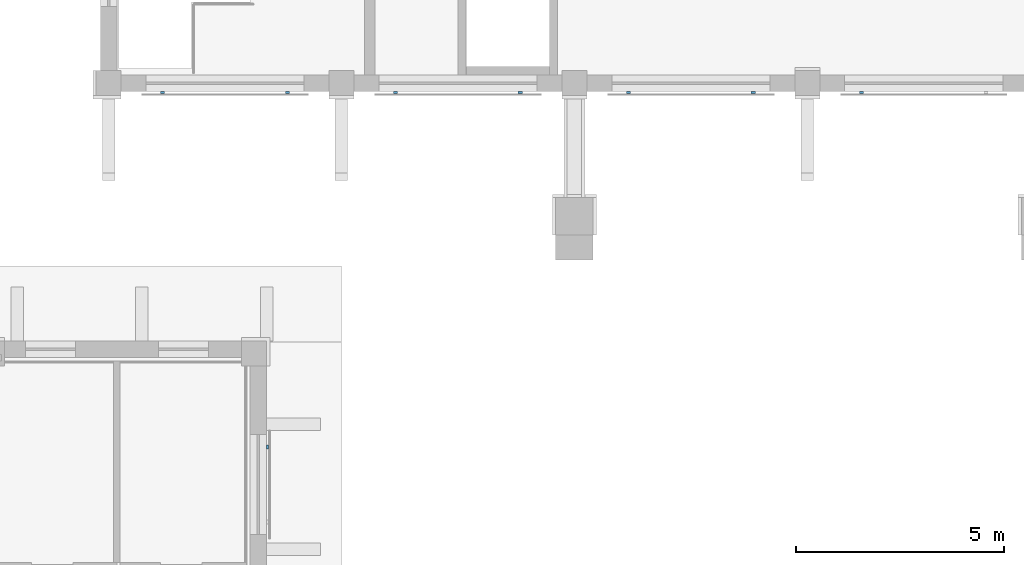
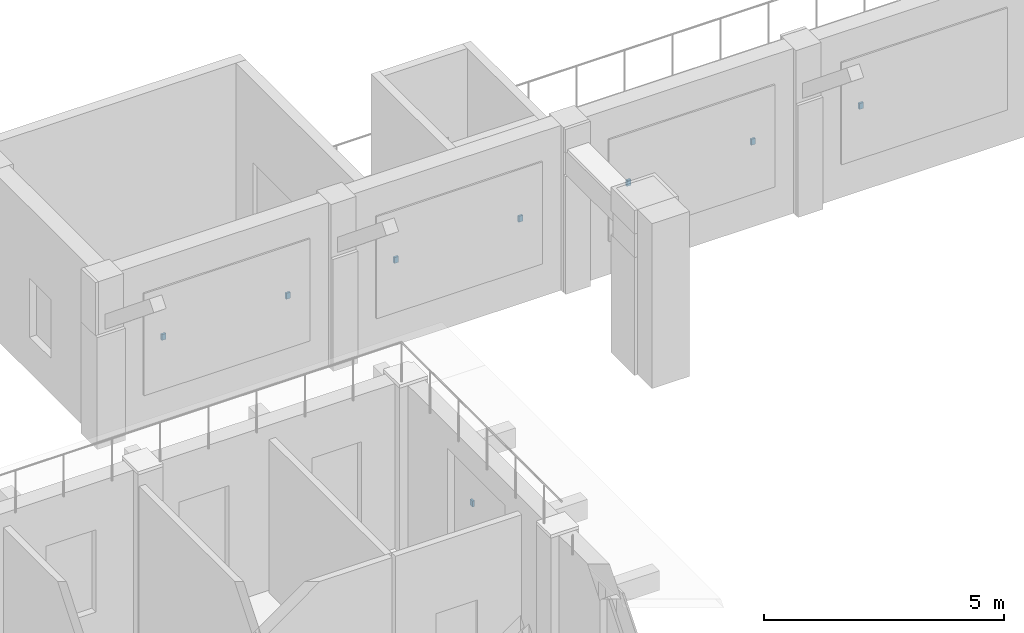
# One storey, part 43 of 68: 8 discrete accessories.
"""IFC4 building model written with IfcOpenShell, lengths in metres."""

from ifc_helpers import new_model, si_unit, direction, frame, origin, origin_2d, place, context, subcontext, project, spatial, rectangle, extrude, element, save


model = new_model("IFC4")

# Units and contexts
model_context = context("Model", 3, precision=1e-05, world=origin(), true_north=direction((0.0, 1.0)))
body_context = subcontext(model_context, "Body", "Model", "MODEL_VIEW")
ifc_project = project(units=[si_unit("LENGTHUNIT", "METRE"), si_unit("AREAUNIT", "SQUARE_METRE"), si_unit("VOLUMEUNIT", "CUBIC_METRE"), si_unit("PLANEANGLEUNIT", "RADIAN"), si_unit("MASSUNIT", "GRAM", prefix="KILO")], contexts=[model_context])

# Site, building, storey
site_placement = place(None, origin())
site = spatial("IfcSite", under=ifc_project, at=site_placement, CompositionType="ELEMENT")
building_placement = place(site_placement, origin())
building = spatial("IfcBuilding", under=site, at=building_placement, Name="Wasatch Bagh Community Centre", CompositionType="ELEMENT")
storey_placement = place(building_placement, frame((0.0, 0.0, 8.39990234375)))
storey = spatial("IfcBuildingStorey", under=building, at=storey_placement, Name="L02", CompositionType="ELEMENT", Elevation=8.39990234375)

# Discrete accessories
for number, where, z_axis, x_axis, name in (
    (1, (113.5, 37.97509765625, 2.125244140625), (0.0, 0.0, 1.0), (1.0, 0.0, 0.0), "Fixing bracket"),
    (2, (116.5, 37.97509765625, 2.125244140625), (0.0, 0.0, 1.0), (1.0, 0.0, 0.0), "Fixing bracket"),
    (3, (119.10009765625, 37.97509765625, 2.125244140625), (0.0, 0.0, 1.0), (1.0, 0.0, 0.0), "Fixing bracket"),
    (4, (122.10009765625, 37.97509765625, 2.125244140625), (0.0, 0.0, 1.0), (1.0, 0.0, 0.0), "Fixing bracket"),
    (5, (124.699951171875, 37.97509765625, 2.125244140625), (0.0, 0.0, 1.0), (1.0, 0.0, 0.0), "Fixing bracket"),
    (6, (127.699951171875, 37.97509765625, 2.125244140625), (0.0, 0.0, 1.0), (1.0, 0.0, 0.0), "Fixing bracket"),
    (7, (130.300048828125, 37.97509765625, 2.125244140625), (0.0, 0.0, 1.0), (1.0, 0.0, 0.0), "Fixing bracket"),
):
    element("IfcDiscreteAccessory", number, at=place(storey_placement, frame(where, z_axis=z_axis, x_axis=x_axis)), inside=storey, Name=name, PredefinedType="BRACKET", context=body_context, shape_type="SweptSolid", body=[
        extrude(rectangle(XDim=0.10009765625, YDim=0.050048828125, at=origin_2d()), origin(), (0.0, 0.0, 1.0), 0.14990234375),
    ])
discrete_accessory_placement = place(storey_placement, frame((116.02490234375, 29.449951171875, 2.175048828125), z_axis=(0.0, 0.0, 1.0), x_axis=(1.0, 0.0, 0.0)))
element("IfcDiscreteAccessory", 8, at=discrete_accessory_placement, inside=storey, Name="Fixing bracket", PredefinedType="BRACKET", context=body_context, shape_type="SweptSolid", body=[
    extrude(rectangle(XDim=0.050048828125, YDim=0.10009765625, at=origin_2d()), origin(), (0.0, 0.0, 1.0), 0.14990234375),
])

save(model, "model.ifc")
